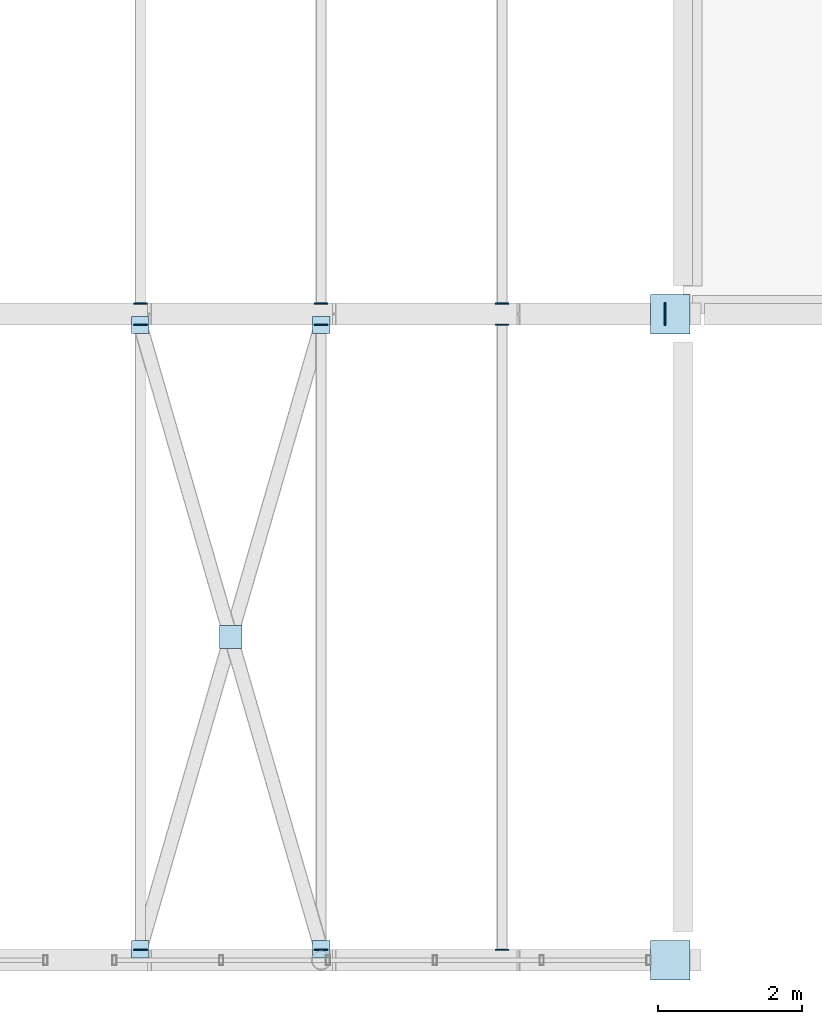
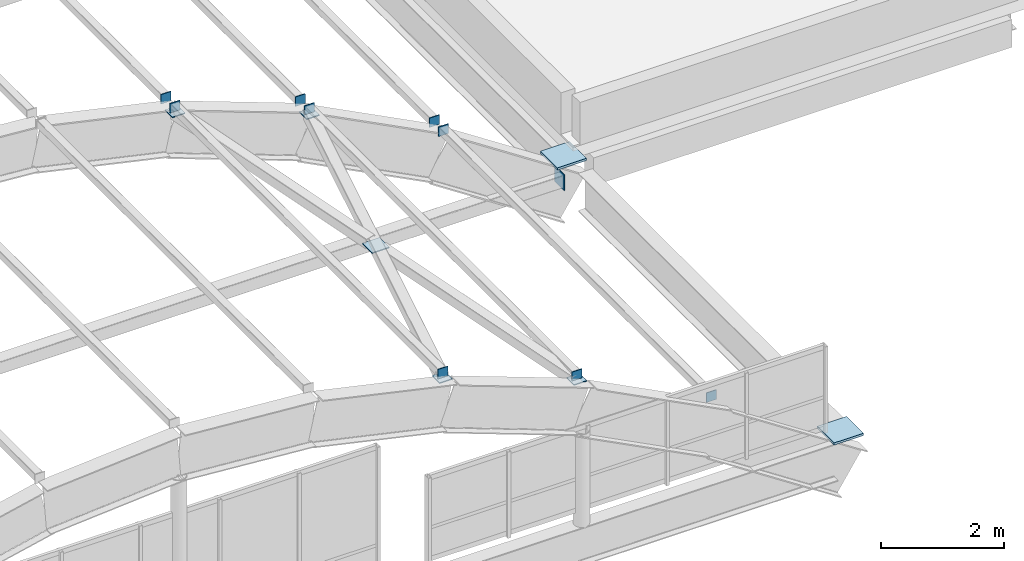
# One storey, part 105 of 130: 17 plates.
"""IFC4 building model written with IfcOpenShell, lengths in metres."""

import ifcopenshell
import ifcopenshell.guid

model = None  # the IFC model being written
_history = None  # IfcOwnerHistory: only IFC2X3 demands one
_inside = {}  # id of a spatial element -> (the spatial element, [elements in it])
_under = {}  # id of a project, library or spatial element -> (it, [spatial elements below it])
_declared = {}  # id of a project -> (the project, [libraries it declares])
_typed = {}  # id of a type object -> (the type object, [elements of that type])
_made_of = {}  # id of a material, layer set ... -> (it, [elements and type objects made of it])


def new_model(schema):
    """Start an empty IFC model of exactly this schema.

    Asked for "IFC4X3", IfcOpenShell would pick the latest addendum, in which some entities
    have other attributes; the version numbers below select the first issue.
    IFC2X3 requires an IfcOwnerHistory on every rooted entity: one is made here for all.
    """
    global model, _history
    if schema == "IFC4X3":
        model = ifcopenshell.file(schema_version=(4, 3, 0, 0))
    else:
        model = ifcopenshell.file(schema=schema)
    _inside.clear()
    _under.clear()
    _declared.clear()
    _typed.clear()
    _made_of.clear()
    _history = None
    if model.schema == "IFC2X3":
        org = make("IfcOrganization", Name="unknown")
        user = make(
            "IfcPersonAndOrganization",
            ThePerson=make("IfcPerson", FamilyName="unknown"),
            TheOrganization=org,
        )
        app = make(
            "IfcApplication",
            ApplicationDeveloper=org,
            Version="unknown",
            ApplicationFullName="unknown",
            ApplicationIdentifier="unknown",
        )
        _history = make(
            "IfcOwnerHistory",
            OwningUser=user,
            OwningApplication=app,
            ChangeAction="ADDED",
            CreationDate=0,
        )
    return model


def make(cls, **values):
    """One entity of the class cls with the attributes given. An attribute that is None is left unset."""
    return model.create_entity(
        cls, **{name: value for name, value in values.items() if value is not None}
    )


def rooted(cls, **values):
    """An entity with a GlobalId (a new one), such as an element, a storey or a relation."""
    return make(cls, GlobalId=ifcopenshell.guid.new(), OwnerHistory=_history, **values)


def si_unit(unit_type, name, prefix=None):
    """IfcSIUnit, for example si_unit("LENGTHUNIT", "METRE", prefix="MILLI")."""
    return make("IfcSIUnit", UnitType=unit_type, Prefix=prefix, Name=name)


def assignment(units):
    """IfcUnitAssignment: the units of a project."""
    return None if units is None else make("IfcUnitAssignment", Units=units)


def point(xyz):
    """IfcCartesianPoint."""
    return None if xyz is None else make("IfcCartesianPoint", Coordinates=xyz)


def direction(xyz):
    """IfcDirection."""
    return None if xyz is None else make("IfcDirection", DirectionRatios=xyz)


def frame(location, z_axis=None, x_axis=None):
    """IfcAxis2Placement3D, a coordinate frame: its origin and axes. An axis left out is left unset."""
    return make(
        "IfcAxis2Placement3D",
        Location=point(location),
        Axis=direction(z_axis),
        RefDirection=direction(x_axis),
    )


def frame_2d(location, x_axis=None):
    """IfcAxis2Placement2D, a coordinate frame in the plane: its origin and x axis."""
    return make(
        "IfcAxis2Placement2D", Location=point(location), RefDirection=direction(x_axis)
    )


def origin():
    """The frame at (0, 0, 0) with its axes left unset."""
    return frame((0.0, 0.0, 0.0))


def origin_2d():
    """The frame at (0, 0) in the plane with its x axis left unset."""
    return frame_2d((0.0, 0.0))


def place(relative_to, where):
    """IfcLocalPlacement: puts the frame where relative to a parent placement (None: the world)."""
    return make(
        "IfcLocalPlacement", PlacementRelTo=relative_to, RelativePlacement=where
    )


def context(
    kind, dimensions, precision=None, world=None, true_north=None, identifier=None
):
    """IfcGeometricRepresentationContext, for example the 3D "Model" context."""
    return make(
        "IfcGeometricRepresentationContext",
        ContextIdentifier=identifier,
        ContextType=kind,
        CoordinateSpaceDimension=dimensions,
        Precision=precision,
        WorldCoordinateSystem=world,
        TrueNorth=true_north,
    )


def subcontext(parent, identifier, kind, view, scale=None):
    """IfcGeometricRepresentationSubContext, for example "Body" below "Model"."""
    return make(
        "IfcGeometricRepresentationSubContext",
        ContextIdentifier=identifier,
        ContextType=kind,
        ParentContext=parent,
        TargetScale=scale,
        TargetView=view,
    )


def project(units=None, contexts=None):
    """IfcProject with its units and contexts."""
    return rooted(
        "IfcProject",
        Name="project",
        RepresentationContexts=contexts,
        UnitsInContext=assignment(units),
    )


def spatial(cls, under=None, at=None, **own):
    """A site, building, storey or space (cls), placed at a placement, below another one or the project."""
    s = rooted(cls, ObjectPlacement=at, **own)
    if under is not None:
        _under.setdefault(under.id(), (under, []))[1].append(s)
    return s


def profile(cls, at=None, kind="AREA", **sizes):
    """A parametric profile (cls). Its sizes go by their IFC names, for example OverallWidth=200.0."""
    return make(cls, ProfileType=kind, Position=at, **sizes)


def rectangle(**sizes):
    """IfcRectangleProfileDef."""
    return profile("IfcRectangleProfileDef", **sizes)


def extrude(swept, where, along, depth):
    """IfcExtrudedAreaSolid: the profile swept, set in the frame where, extruded along a direction by depth."""
    return make(
        "IfcExtrudedAreaSolid",
        SweptArea=swept,
        Position=where,
        ExtrudedDirection=direction(along),
        Depth=depth,
    )


def shape(context_of_items, identifier, shape_type, items):
    """IfcShapeRepresentation: the items that make up one representation, for example the "Body"."""
    return make(
        "IfcShapeRepresentation",
        ContextOfItems=context_of_items,
        RepresentationIdentifier=identifier,
        RepresentationType=shape_type,
        Items=items,
    )


def material(Name=None, Category=None):
    """IfcMaterial."""
    return make("IfcMaterial", Name=Name, Category=Category)


def layer(
    of_material, thickness, ventilated=None, Name=None, Category=None, Priority=None
):
    """IfcMaterialLayer: one layer of a wall or slab, of a material (None: an air gap)."""
    return make(
        "IfcMaterialLayer",
        Material=of_material,
        LayerThickness=thickness,
        IsVentilated=ventilated,
        Name=Name,
        Category=Category,
        Priority=Priority,
    )


def layer_set(layers, Name=None):
    """IfcMaterialLayerSet."""
    return make("IfcMaterialLayerSet", MaterialLayers=layers, LayerSetName=Name)


def made_of(thing, what):
    """Note that an element or type object is made of a material, layer set ...; save() writes the relation."""
    if what is not None:
        _made_of.setdefault(what.id(), (what, []))[1].append(thing)
    return thing


def type_object(cls, material=None, **own):
    """A type object (cls), such as IfcWallType, which elements share."""
    return made_of(rooted(cls, **own), material)


def element(
    cls,
    number,
    at=None,
    inside=None,
    cuts=None,
    type_object=None,
    material=None,
    context=None,
    identifier="Body",
    shape_type=None,
    held_by="IfcProductDefinitionShape",
    body=None,
    shapes=None,
    **own,
):
    """One element of the class cls, such as IfcWall. Its Tag is "e" and its number.

    at: its placement. inside: the storey or other place that contains it. cuts: it is an
    opening in that element (IfcRelVoidsElement). A single representation is given by context,
    identifier, shape_type and body (its items); several are given by shapes. held_by: the class
    of the entity that holds the representations. save() writes the other relations.
    """
    e = rooted(cls, Tag="e%d" % number, ObjectPlacement=at, **own)
    if body is not None:
        shapes = [shape(context, identifier, shape_type, body)]
    if shapes is not None:
        e.Representation = make(held_by, Representations=shapes)
    if inside is not None:
        _inside.setdefault(inside.id(), (inside, []))[1].append(e)
    if cuts is not None:
        rooted(
            "IfcRelVoidsElement", RelatingBuildingElement=cuts, RelatedOpeningElement=e
        )
    if type_object is not None:
        _typed.setdefault(type_object.id(), (type_object, []))[1].append(e)
    return made_of(e, material)


def aggregate(whole, parts):
    """IfcRelAggregates: a whole, such as a stair, and the parts it consists of."""
    return rooted("IfcRelAggregates", RelatingObject=whole, RelatedObjects=parts)


def save(model, path):
    """Write the relations noted so far, then the file.

    IfcRelAggregates (storeys below a building ...), IfcRelContainedInSpatialStructure (elements
    in a storey), IfcRelDefinesByType, IfcRelAssociatesMaterial and IfcRelDeclares: one each for
    every whole, place, type object, material and project.
    """
    for whole, parts in _under.values():
        aggregate(whole, parts)
    for where, things in _inside.values():
        rooted(
            "IfcRelContainedInSpatialStructure",
            RelatedElements=things,
            RelatingStructure=where,
        )
    for kind, things in _typed.values():
        rooted("IfcRelDefinesByType", RelatedObjects=things, RelatingType=kind)
    for what, things in _made_of.values():
        rooted("IfcRelAssociatesMaterial", RelatedObjects=things, RelatingMaterial=what)
    for by, libraries in _declared.values():
        rooted("IfcRelDeclares", RelatingContext=by, RelatedDefinitions=libraries)
    model.write(path)


model = new_model("IFC4")

# Units and contexts
model_context = context("Model", 3, precision=1e-05, world=origin(), true_north=direction((0.0, 1.0)))
body_context = subcontext(model_context, "Body", "Model", "MODEL_VIEW")
ifc_project = project(units=[si_unit("LENGTHUNIT", "METRE"), si_unit("AREAUNIT", "SQUARE_METRE"), si_unit("VOLUMEUNIT", "CUBIC_METRE"), si_unit("PLANEANGLEUNIT", "RADIAN"), si_unit("MASSUNIT", "GRAM", prefix="KILO")], contexts=[model_context])

# Site, building, storey
site_placement = place(None, origin())
site = spatial("IfcSite", under=ifc_project, at=site_placement, CompositionType="ELEMENT")
building_placement = place(site_placement, origin())
building = spatial("IfcBuilding", under=site, at=building_placement, Name="Vireocrest Preparatory School", CompositionType="ELEMENT")
storey_placement = place(building_placement, frame((0.0, 0.0, 9.0)))
storey = spatial("IfcBuildingStorey", under=building, at=storey_placement, Name="L02", CompositionType="ELEMENT", Elevation=9.0)

# Plates
ifc_material = material(Name="Structural steel ASTM A572 Grade 50", Category="steel")
ifc_layer_1 = layer(ifc_material, 0.0458984375)
ifc_layer_set_1 = layer_set([ifc_layer_1], Name="Structural steel ASTM A572 Grade 50")
plate_type_1 = type_object("IfcPlateType", Name="Barrel-Vault Springing Gusset Shoe Plate 46", PredefinedType="SHEET", material=ifc_layer_set_1)
for number, where, z_axis, x_axis, name in (
    (1, (25.02001953125, 9.0, -0.123046875), (0.0, 0.0, 1.0), (1.0, 0.0, 0.0), "Node AS1 Vault Springing Shoe VAULT_SPORTS-1E"),
    (2, (25.02001953125, 18.0, -0.123046875), (0.0, 0.0, 1.0), (1.0, 0.0, 0.0), "Node AS1 Vault Springing Shoe VAULT_SPORTS-2E"),
):
    element("IfcPlate", number, at=place(storey_placement, frame(where, z_axis=z_axis, x_axis=x_axis)), inside=storey, type_object=plate_type_1, Name=name, PredefinedType="SHEET", context=body_context, shape_type="SweptSolid", body=[
        extrude(rectangle(XDim=0.550048828125, YDim=0.550048828125, at=origin_2d()), origin(), (0.0, 0.0, 1.0), 0.0458984375),
    ])
ifc_layer_2 = layer(ifc_material, 0.02001953125)
ifc_layer_set_2 = layer_set([ifc_layer_2], Name="Structural steel ASTM A572 Grade 50")
plate_type_2 = type_object("IfcPlateType", Name="Hollow Section Steel End Cap Plate 20", PredefinedType="SHEET", material=ifc_layer_set_2)
plate_1_placement = place(storey_placement, frame((24.949951171875, 18.0, -0.671142578125), z_axis=(0.0, 0.0, 1.0), x_axis=(1.0, 0.0, 0.0)))
element("IfcPlate", 3, at=plate_1_placement, inside=storey, type_object=plate_type_2, Name="End Cap Plate CP1 VAULT_SPORTS Tie 2E", PredefinedType="SHEET", context=body_context, shape_type="SweptSolid", body=[
    extrude(rectangle(XDim=0.02001953125, YDim=0.31396484375, at=origin_2d()), origin(), (0.0, 0.0, 1.0), 0.31396484375),
])
for number, where, z_axis, x_axis, name in (
    (4, (17.639892578125, 9.152587890625, 3.439697265625), (0.0, 0.0, 1.0), (1.0, 0.0, 0.0), "Brace Cap Plate CP1 VAULT_SPORTS-1-8A"),
    (5, (20.159912109375, 17.847412109375, 2.519775390625), (0.0, 0.0, 1.0), (1.0, 0.0, 0.0), "Brace Cap Plate CP1 VAULT_SPORTS-1-8B"),
):
    element("IfcPlate", number, at=place(storey_placement, frame(where, z_axis=z_axis, x_axis=x_axis)), inside=storey, type_object=plate_type_2, Name=name, PredefinedType="SHEET", context=body_context, shape_type="SweptSolid", body=[
        extrude(rectangle(XDim=0.239990234375, YDim=0.239990234375, at=origin_2d()), origin(), (0.0, 0.0, 1.0), 0.02001953125),
    ])
plate_2_placement = place(storey_placement, frame((18.89990234375, 13.5, 2.979736328125), z_axis=(0.0, 0.0, 1.0), x_axis=(1.0, 0.0, 0.0)))
element("IfcPlate", 6, at=plate_2_placement, inside=storey, type_object=plate_type_2, Name="X-Brace Crossing Gusset CP1 VAULT_SPORTS-1-8", PredefinedType="SHEET", context=body_context, shape_type="SweptSolid", body=[
    extrude(rectangle(XDim=0.320068359375, YDim=0.320068359375, at=origin_2d()), origin(), (0.0, 0.0, 1.0), 0.02001953125),
])
for number, where, z_axis, x_axis, name in (
    (7, (17.639892578125, 17.847412109375, 3.439697265625), (0.0, 0.0, 1.0), (1.0, 0.0, 0.0), "Brace Cap Plate CP1 VAULT_SPORTS-1-8C"),
    (8, (20.159912109375, 9.152587890625, 2.519775390625), (0.0, 0.0, 1.0), (1.0, 0.0, 0.0), "Brace Cap Plate CP1 VAULT_SPORTS-1-8D"),
):
    element("IfcPlate", number, at=place(storey_placement, frame(where, z_axis=z_axis, x_axis=x_axis)), inside=storey, type_object=plate_type_2, Name=name, PredefinedType="SHEET", context=body_context, shape_type="SweptSolid", body=[
        extrude(rectangle(XDim=0.239990234375, YDim=0.239990234375, at=origin_2d()), origin(), (0.0, 0.0, 1.0), 0.02001953125),
    ])
ifc_layer_3 = layer(ifc_material, 0.01611328125)
ifc_layer_set_3 = layer_set([ifc_layer_3], Name="Structural steel ASTM A572 Grade 50")
plate_type_3 = type_object("IfcPlateType", Name="Sports Vault Purlin Steel End Cap Plate 16", PredefinedType="SHEET", material=ifc_layer_set_3)
for number, where, z_axis, x_axis, name in (
    (9, (17.639892578125, 9.1474609375, 3.4580078125), (0.0, 0.0, 1.0), (1.0, 0.0, 0.0), "Purlin End Cap CP2 VAULT_SPORTS B1-S-8"),
    (10, (17.639892578125, 17.8525390625, 3.4580078125), (0.0, 0.0, 1.0), (1.0, 0.0, 0.0), "Purlin End Cap CP2 VAULT_SPORTS B1-N-8"),
    (11, (20.159912109375, 9.1474609375, 2.52685546875), (0.0, 0.0, 1.0), (1.0, 0.0, 0.0), "Purlin End Cap CP2 VAULT_SPORTS B1-S-9"),
    (12, (20.159912109375, 17.8525390625, 2.52685546875), (0.0, 0.0, 1.0), (1.0, 0.0, 0.0), "Purlin End Cap CP2 VAULT_SPORTS B1-N-9"),
    (13, (22.679931640625, 9.1474609375, 1.227783203125), (0.0, 0.0, 1.0), (1.0, 0.0, 0.0), "Purlin End Cap CP2 VAULT_SPORTS B1-S-10"),
    (14, (22.679931640625, 17.8525390625, 1.227783203125), (0.0, 0.0, 1.0), (1.0, 0.0, 0.0), "Purlin End Cap CP2 VAULT_SPORTS B1-N-10"),
    (15, (17.639892578125, 18.1474609375, 3.4580078125), (0.0, 0.0, 1.0), (1.0, 0.0, 0.0), "Purlin End Cap CP2 VAULT_SPORTS B2-S-8"),
    (16, (20.159912109375, 18.1474609375, 2.52685546875), (0.0, 0.0, 1.0), (1.0, 0.0, 0.0), "Purlin End Cap CP2 VAULT_SPORTS B2-S-9"),
    (17, (22.679931640625, 18.1474609375, 1.227783203125), (0.0, 0.0, 1.0), (1.0, 0.0, 0.0), "Purlin End Cap CP2 VAULT_SPORTS B2-S-10"),
):
    element("IfcPlate", number, at=place(storey_placement, frame(where, z_axis=z_axis, x_axis=x_axis)), inside=storey, type_object=plate_type_3, Name=name, PredefinedType="SHEET", context=body_context, shape_type="SweptSolid", body=[
        extrude(rectangle(XDim=0.18798828125, YDim=0.01611328125, at=origin_2d()), origin(), (0.0, 0.0, 1.0), 0.18798828125),
    ])

save(model, "model.ifc")
